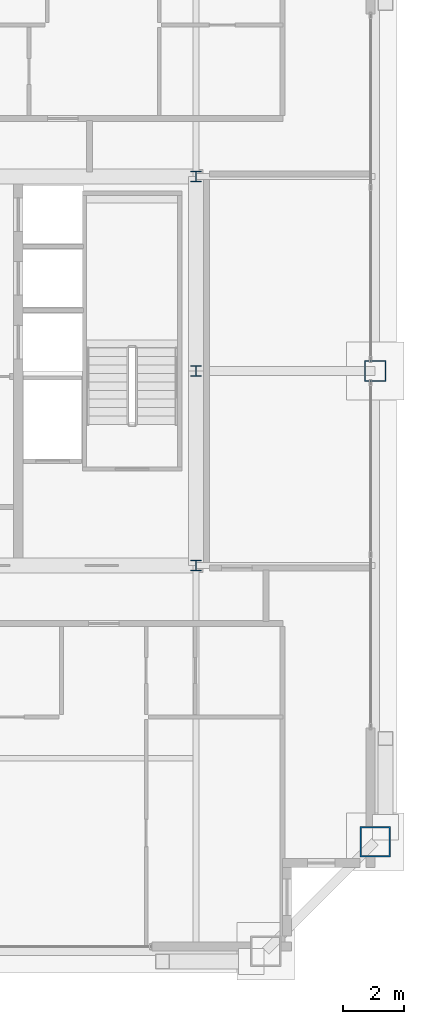
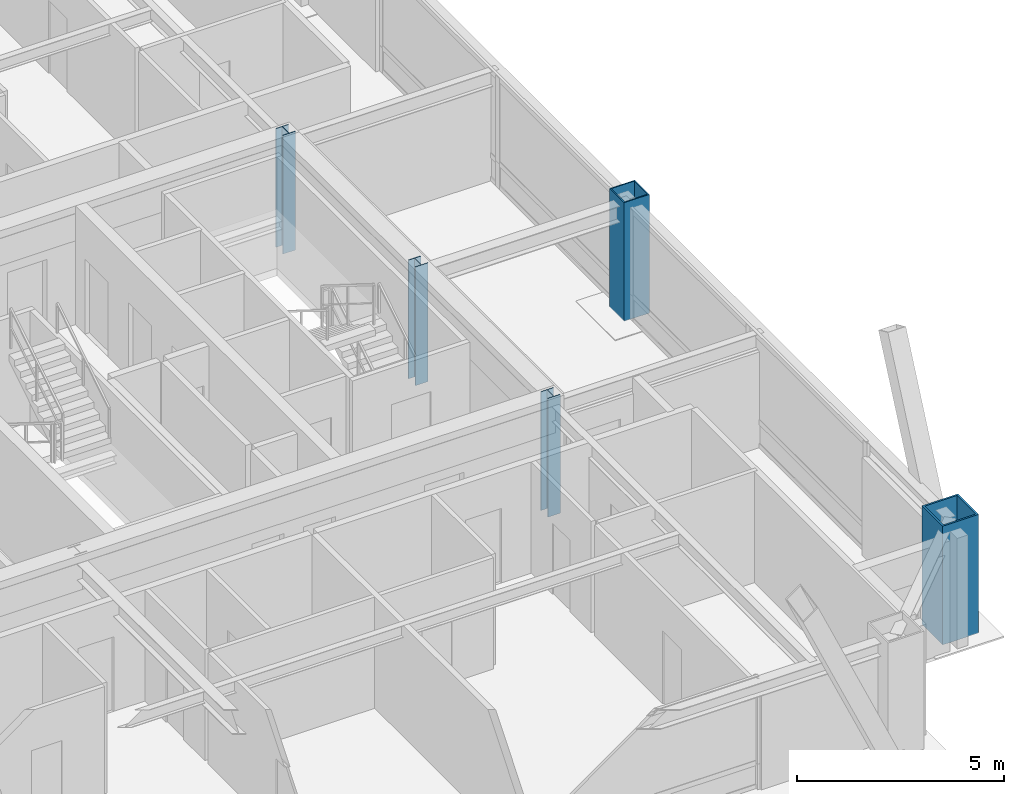
# One storey, part 2 of 35: 5 columns.
"""IFC4 building model written with IfcOpenShell, lengths in metres."""

import ifcopenshell
import ifcopenshell.guid

model = None  # the IFC model being written
_history = None  # IfcOwnerHistory: only IFC2X3 demands one
_inside = {}  # id of a spatial element -> (the spatial element, [elements in it])
_under = {}  # id of a project, library or spatial element -> (it, [spatial elements below it])
_declared = {}  # id of a project -> (the project, [libraries it declares])
_typed = {}  # id of a type object -> (the type object, [elements of that type])
_made_of = {}  # id of a material, layer set ... -> (it, [elements and type objects made of it])


def new_model(schema):
    """Start an empty IFC model of exactly this schema.

    Asked for "IFC4X3", IfcOpenShell would pick the latest addendum, in which some entities
    have other attributes; the version numbers below select the first issue.
    IFC2X3 requires an IfcOwnerHistory on every rooted entity: one is made here for all.
    """
    global model, _history
    if schema == "IFC4X3":
        model = ifcopenshell.file(schema_version=(4, 3, 0, 0))
    else:
        model = ifcopenshell.file(schema=schema)
    _inside.clear()
    _under.clear()
    _declared.clear()
    _typed.clear()
    _made_of.clear()
    _history = None
    if model.schema == "IFC2X3":
        org = make("IfcOrganization", Name="unknown")
        user = make(
            "IfcPersonAndOrganization",
            ThePerson=make("IfcPerson", FamilyName="unknown"),
            TheOrganization=org,
        )
        app = make(
            "IfcApplication",
            ApplicationDeveloper=org,
            Version="unknown",
            ApplicationFullName="unknown",
            ApplicationIdentifier="unknown",
        )
        _history = make(
            "IfcOwnerHistory",
            OwningUser=user,
            OwningApplication=app,
            ChangeAction="ADDED",
            CreationDate=0,
        )
    return model


def make(cls, **values):
    """One entity of the class cls with the attributes given. An attribute that is None is left unset."""
    return model.create_entity(
        cls, **{name: value for name, value in values.items() if value is not None}
    )


def rooted(cls, **values):
    """An entity with a GlobalId (a new one), such as an element, a storey or a relation."""
    return make(cls, GlobalId=ifcopenshell.guid.new(), OwnerHistory=_history, **values)


def si_unit(unit_type, name, prefix=None):
    """IfcSIUnit, for example si_unit("LENGTHUNIT", "METRE", prefix="MILLI")."""
    return make("IfcSIUnit", UnitType=unit_type, Prefix=prefix, Name=name)


def assignment(units):
    """IfcUnitAssignment: the units of a project."""
    return None if units is None else make("IfcUnitAssignment", Units=units)


def point(xyz):
    """IfcCartesianPoint."""
    return None if xyz is None else make("IfcCartesianPoint", Coordinates=xyz)


def direction(xyz):
    """IfcDirection."""
    return None if xyz is None else make("IfcDirection", DirectionRatios=xyz)


def frame(location, z_axis=None, x_axis=None):
    """IfcAxis2Placement3D, a coordinate frame: its origin and axes. An axis left out is left unset."""
    return make(
        "IfcAxis2Placement3D",
        Location=point(location),
        Axis=direction(z_axis),
        RefDirection=direction(x_axis),
    )


def frame_2d(location, x_axis=None):
    """IfcAxis2Placement2D, a coordinate frame in the plane: its origin and x axis."""
    return make(
        "IfcAxis2Placement2D", Location=point(location), RefDirection=direction(x_axis)
    )


def origin():
    """The frame at (0, 0, 0) with its axes left unset."""
    return frame((0.0, 0.0, 0.0))


def origin_2d():
    """The frame at (0, 0) in the plane with its x axis left unset."""
    return frame_2d((0.0, 0.0))


def place(relative_to, where):
    """IfcLocalPlacement: puts the frame where relative to a parent placement (None: the world)."""
    return make(
        "IfcLocalPlacement", PlacementRelTo=relative_to, RelativePlacement=where
    )


def context(
    kind, dimensions, precision=None, world=None, true_north=None, identifier=None
):
    """IfcGeometricRepresentationContext, for example the 3D "Model" context."""
    return make(
        "IfcGeometricRepresentationContext",
        ContextIdentifier=identifier,
        ContextType=kind,
        CoordinateSpaceDimension=dimensions,
        Precision=precision,
        WorldCoordinateSystem=world,
        TrueNorth=true_north,
    )


def subcontext(parent, identifier, kind, view, scale=None):
    """IfcGeometricRepresentationSubContext, for example "Body" below "Model"."""
    return make(
        "IfcGeometricRepresentationSubContext",
        ContextIdentifier=identifier,
        ContextType=kind,
        ParentContext=parent,
        TargetScale=scale,
        TargetView=view,
    )


def project(units=None, contexts=None):
    """IfcProject with its units and contexts."""
    return rooted(
        "IfcProject",
        Name="project",
        RepresentationContexts=contexts,
        UnitsInContext=assignment(units),
    )


def spatial(cls, under=None, at=None, **own):
    """A site, building, storey or space (cls), placed at a placement, below another one or the project."""
    s = rooted(cls, ObjectPlacement=at, **own)
    if under is not None:
        _under.setdefault(under.id(), (under, []))[1].append(s)
    return s


def profile(cls, at=None, kind="AREA", **sizes):
    """A parametric profile (cls). Its sizes go by their IFC names, for example OverallWidth=200.0."""
    return make(cls, ProfileType=kind, Position=at, **sizes)


def hollow_rectangle(**sizes):
    """IfcRectangleHollowProfileDef."""
    return profile("IfcRectangleHollowProfileDef", **sizes)


def i_section(**sizes):
    """IfcIShapeProfileDef."""
    return profile("IfcIShapeProfileDef", **sizes)


def extrude(swept, where, along, depth):
    """IfcExtrudedAreaSolid: the profile swept, set in the frame where, extruded along a direction by depth."""
    return make(
        "IfcExtrudedAreaSolid",
        SweptArea=swept,
        Position=where,
        ExtrudedDirection=direction(along),
        Depth=depth,
    )


def shape(context_of_items, identifier, shape_type, items):
    """IfcShapeRepresentation: the items that make up one representation, for example the "Body"."""
    return make(
        "IfcShapeRepresentation",
        ContextOfItems=context_of_items,
        RepresentationIdentifier=identifier,
        RepresentationType=shape_type,
        Items=items,
    )


def source(mapping_origin, context_of_items, identifier, shape_type, items):
    """IfcRepresentationMap: a shape defined once, which mapped items show again and again."""
    return make(
        "IfcRepresentationMap",
        MappingOrigin=mapping_origin,
        MappedRepresentation=shape(context_of_items, identifier, shape_type, items),
    )


def transform(
    local_origin,
    x_axis=None,
    y_axis=None,
    z_axis=None,
    scale=None,
    scale2=None,
    scale3=None,
    uniform=True,
):
    """IfcCartesianTransformationOperator3D, or its non-uniform kind. x_axis, y_axis, z_axis: its Axis1, 2, 3."""
    if uniform:
        return make(
            "IfcCartesianTransformationOperator3D",
            Axis1=direction(x_axis),
            Axis2=direction(y_axis),
            LocalOrigin=point(local_origin),
            Scale=scale,
            Axis3=direction(z_axis),
        )
    return make(
        "IfcCartesianTransformationOperator3DnonUniform",
        Axis1=direction(x_axis),
        Axis2=direction(y_axis),
        LocalOrigin=point(local_origin),
        Scale=scale,
        Axis3=direction(z_axis),
        Scale2=scale2,
        Scale3=scale3,
    )


def mapped(mapping_source, mapping_target):
    """IfcMappedItem: shows the shape of a source again, moved by a transform."""
    return make(
        "IfcMappedItem", MappingSource=mapping_source, MappingTarget=mapping_target
    )


def material(Name=None, Category=None):
    """IfcMaterial."""
    return make("IfcMaterial", Name=Name, Category=Category)


def material_profile(
    of_material, cross_section, Name=None, Category=None, Priority=None
):
    """IfcMaterialProfile: a cross section and its material."""
    return make(
        "IfcMaterialProfile",
        Name=Name,
        Material=of_material,
        Profile=cross_section,
        Priority=Priority,
        Category=Category,
    )


def profile_set(profiles, Name=None, composite=None):
    """IfcMaterialProfileSet."""
    return make(
        "IfcMaterialProfileSet",
        Name=Name,
        MaterialProfiles=profiles,
        CompositeProfile=composite,
    )


def made_of(thing, what):
    """Note that an element or type object is made of a material, layer set ...; save() writes the relation."""
    if what is not None:
        _made_of.setdefault(what.id(), (what, []))[1].append(thing)
    return thing


def type_object(cls, material=None, **own):
    """A type object (cls), such as IfcWallType, which elements share."""
    return made_of(rooted(cls, **own), material)


def element(
    cls,
    number,
    at=None,
    inside=None,
    cuts=None,
    type_object=None,
    material=None,
    context=None,
    identifier="Body",
    shape_type=None,
    held_by="IfcProductDefinitionShape",
    body=None,
    shapes=None,
    **own,
):
    """One element of the class cls, such as IfcWall. Its Tag is "e" and its number.

    at: its placement. inside: the storey or other place that contains it. cuts: it is an
    opening in that element (IfcRelVoidsElement). A single representation is given by context,
    identifier, shape_type and body (its items); several are given by shapes. held_by: the class
    of the entity that holds the representations. save() writes the other relations.
    """
    e = rooted(cls, Tag="e%d" % number, ObjectPlacement=at, **own)
    if body is not None:
        shapes = [shape(context, identifier, shape_type, body)]
    if shapes is not None:
        e.Representation = make(held_by, Representations=shapes)
    if inside is not None:
        _inside.setdefault(inside.id(), (inside, []))[1].append(e)
    if cuts is not None:
        rooted(
            "IfcRelVoidsElement", RelatingBuildingElement=cuts, RelatedOpeningElement=e
        )
    if type_object is not None:
        _typed.setdefault(type_object.id(), (type_object, []))[1].append(e)
    return made_of(e, material)


def aggregate(whole, parts):
    """IfcRelAggregates: a whole, such as a stair, and the parts it consists of."""
    return rooted("IfcRelAggregates", RelatingObject=whole, RelatedObjects=parts)


def save(model, path):
    """Write the relations noted so far, then the file.

    IfcRelAggregates (storeys below a building ...), IfcRelContainedInSpatialStructure (elements
    in a storey), IfcRelDefinesByType, IfcRelAssociatesMaterial and IfcRelDeclares: one each for
    every whole, place, type object, material and project.
    """
    for whole, parts in _under.values():
        aggregate(whole, parts)
    for where, things in _inside.values():
        rooted(
            "IfcRelContainedInSpatialStructure",
            RelatedElements=things,
            RelatingStructure=where,
        )
    for kind, things in _typed.values():
        rooted("IfcRelDefinesByType", RelatedObjects=things, RelatingType=kind)
    for what, things in _made_of.values():
        rooted("IfcRelAssociatesMaterial", RelatedObjects=things, RelatingMaterial=what)
    for by, libraries in _declared.values():
        rooted("IfcRelDeclares", RelatingContext=by, RelatedDefinitions=libraries)
    model.write(path)


model = new_model("IFC4")

# Units and contexts
model_context = context("Model", 3, precision=1e-05, world=origin(), true_north=direction((0.0, 1.0)))
body_context = subcontext(model_context, "Body", "Model", "MODEL_VIEW")
ifc_project = project(units=[si_unit("LENGTHUNIT", "METRE"), si_unit("AREAUNIT", "SQUARE_METRE"), si_unit("VOLUMEUNIT", "CUBIC_METRE"), si_unit("PLANEANGLEUNIT", "RADIAN"), si_unit("MASSUNIT", "GRAM", prefix="KILO"), si_unit("THERMODYNAMICTEMPERATUREUNIT", "KELVIN"), si_unit("POWERUNIT", "WATT")], contexts=[model_context])

# Site, building, storey
site_placement = place(None, origin())
site = spatial("IfcSite", under=ifc_project, at=site_placement, CompositionType="ELEMENT")
building_placement = place(site_placement, origin())
building = spatial("IfcBuilding", under=site, at=building_placement, Name="Yuzanri Waterfront Tower", CompositionType="ELEMENT")
storey_placement = place(building_placement, frame((0.0, 0.0, 285.60009765625)))
storey = spatial("IfcBuildingStorey", under=building, at=storey_placement, Name="L76", CompositionType="ELEMENT", Elevation=285.60009765625)

# Columns
ifc_material_1 = material(Name="Steel Q355B", Category="steel")
ifc_material_profile_1 = material_profile(ifc_material_1, hollow_rectangle(XDim=0.699951171875, YDim=0.699951171875, WallThickness=0.031982421875, at=origin_2d()), Name="RHS 700x700x32")
ifc_profile_set_1 = profile_set([ifc_material_profile_1], Name="Steel Q355B")
column_type_1 = type_object("IfcColumnType", Name="Frame Column Q355B RHS 700x700x32", PredefinedType="COLUMN", material=ifc_profile_set_1)
shared_shape_1 = source(origin(), body_context, "Body", "SweptSolid", [
    extrude(hollow_rectangle(XDim=0.699951171875, YDim=0.699951171875, WallThickness=0.031982421875, at=origin_2d()), origin(), (0.0, 0.0, 1.0), 3.5),
])
column_1_placement = place(storey_placement, frame((56.10009765625, 25.800048828125, 0.0), z_axis=(0.0, 0.0, 1.0), x_axis=(1.0, 0.0, 0.0)))
element("IfcColumn", 1, at=column_1_placement, inside=storey, type_object=column_type_1, Name="L76 Perimeter Frame Column E2", PredefinedType="COLUMN", context=body_context, shape_type="MappedRepresentation", body=[
    mapped(shared_shape_1, transform((0.0, 0.0, 0.0), scale=1.0)),
])
ifc_material_2 = material(Name="Steel Q355B", Category="steel")
ifc_material_profile_2 = material_profile(ifc_material_2, i_section(OverallWidth=0.35009765625, OverallDepth=0.35009765625, WebThickness=0.011962890625, FlangeThickness=0.01904296875, at=origin_2d()), Name="HW 350x350x12x19")
ifc_profile_set_2 = profile_set([ifc_material_profile_2], Name="Steel Q355B")
column_type_2 = type_object("IfcColumnType", Name="Core Post Q355B HW 350x350x12x19", PredefinedType="COLUMN", material=ifc_profile_set_2)
shared_shape_2 = source(origin(), body_context, "Body", "SweptSolid", [
    extrude(i_section(OverallWidth=0.35009765625, OverallDepth=0.35009765625, WebThickness=0.011962890625, FlangeThickness=0.01904296875, at=origin_2d()), origin(), (0.0, 0.0, 1.0), 3.5),
])
for number, where, z_axis, x_axis, name in (
    (2, (50.199951171875, 19.39990234375, 0.0), (0.0, 0.0, 1.0), (1.0, 0.0, 0.0), "L76 Core Boundary Column CP3"),
    (3, (50.199951171875, 25.800048828125, 0.0), (0.0, 0.0, 1.0), (1.0, 0.0, 0.0), "L76 Core Boundary Column CP5"),
    (4, (50.199951171875, 32.199951171875, 0.0), (0.0, 0.0, 1.0), (1.0, 0.0, 0.0), "L76 Core Boundary Column CP8"),
):
    element("IfcColumn", number, at=place(storey_placement, frame(where, z_axis=z_axis, x_axis=x_axis)), inside=storey, type_object=column_type_2, Name=name, PredefinedType="COLUMN", context=body_context, shape_type="MappedRepresentation", body=[
        mapped(shared_shape_2, transform((0.0, 0.0, 0.0), scale=1.0)),
    ])
ifc_material_3 = material(Name="Steel Q390GJC", Category="steel")
ifc_material_profile_3 = material_profile(ifc_material_3, hollow_rectangle(XDim=1.0, YDim=1.0, WallThickness=0.048095703125, at=origin_2d()), Name="RHS 1000x1000x48")
ifc_profile_set_3 = profile_set([ifc_material_profile_3], Name="Steel Q390GJC")
column_type_3 = type_object("IfcColumnType", Name="Mega Column Q390GJC RHS 1000x1000x48", PredefinedType="COLUMN", material=ifc_profile_set_3)
shared_shape_3 = source(origin(), body_context, "Body", "SweptSolid", [
    extrude(hollow_rectangle(XDim=1.0, YDim=1.0, WallThickness=0.048095703125, at=origin_2d()), origin(), (0.0, 0.0, 1.0), 3.5),
])
column_2_placement = place(storey_placement, frame((56.10009765625, 10.300048828125, 0.0), z_axis=(0.0, 0.0, 1.0), x_axis=(1.0, 0.0, 0.0)))
element("IfcColumn", 5, at=column_2_placement, inside=storey, type_object=column_type_3, Name="L76 Perimeter Mega Column E1", PredefinedType="COLUMN", context=body_context, shape_type="MappedRepresentation", body=[
    mapped(shared_shape_3, transform((0.0, 0.0, 0.0), scale=1.0)),
])

save(model, "model.ifc")
